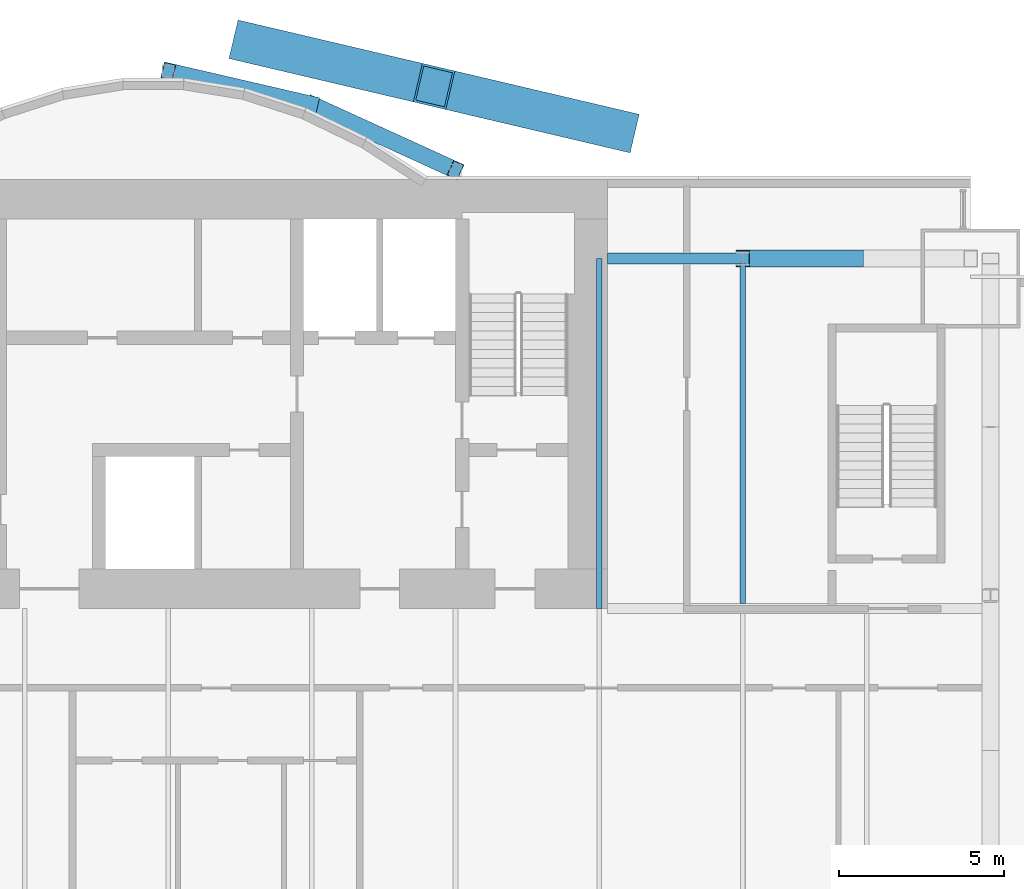
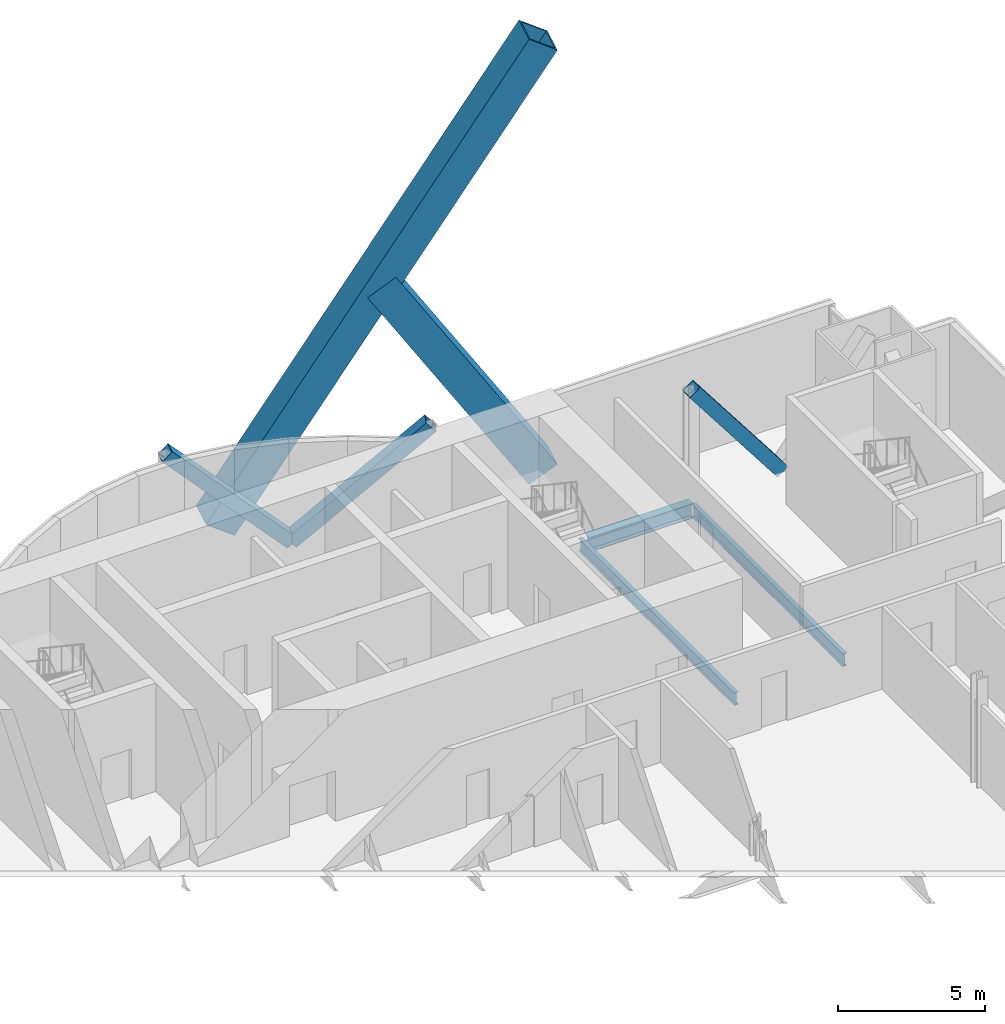
# One storey, part 13 of 23: 5 members, 3 beams.
"""IFC4 building model written with IfcOpenShell, lengths in metres."""

from ifc_helpers import new_model, si_unit, direction, frame, origin, origin_2d, place, context, subcontext, project, spatial, hollow_rectangle, i_section, extrude, material, material_profile, profile_set, type_object, element, save


model = new_model("IFC4")

# Units and contexts
model_context = context("Model", 3, precision=1e-05, world=origin(), true_north=direction((0.0, 1.0)))
body_context = subcontext(model_context, "Body", "Model", "MODEL_VIEW")
ifc_project = project(units=[si_unit("LENGTHUNIT", "METRE"), si_unit("AREAUNIT", "SQUARE_METRE"), si_unit("VOLUMEUNIT", "CUBIC_METRE"), si_unit("PLANEANGLEUNIT", "RADIAN"), si_unit("MASSUNIT", "GRAM", prefix="KILO")], contexts=[model_context])

# Site, building, storey
site_placement = place(None, origin())
site = spatial("IfcSite", under=ifc_project, at=site_placement, CompositionType="ELEMENT")
building_placement = place(site_placement, origin())
building = spatial("IfcBuilding", under=site, at=building_placement, Name="Bicima Exchange Tower", CompositionType="ELEMENT")
storey_placement = place(building_placement, frame((0.0, 0.0, 53.0)))
storey = spatial("IfcBuildingStorey", under=building, at=storey_placement, Name="L10", CompositionType="ELEMENT", Elevation=53.0)

# Members
ifc_material_1 = material(Name="Steel ASTM A572 Gr 50", Category="steel")
ifc_material_profile_1 = material_profile(ifc_material_1, hollow_rectangle(XDim=1.199951171875, YDim=1.199951171875, WallThickness=0.070068359375, at=origin_2d()))
ifc_profile_set_1 = profile_set([ifc_material_profile_1], Name="Steel ASTM A572 Gr 50")
member_type_1 = type_object("IfcMemberType", Name="Exo mega brace BOX 1200x1200x70", PredefinedType="BRACE", material=ifc_profile_set_1)
member_1_placement = place(storey_placement, frame((11.166748046875, 4.125, 0.300048828125), z_axis=(0.526277861717, -0.123716375206, 0.841264447586), x_axis=(0.228840031766, 0.973464041381, 0.0)))
element("IfcMember", 1, at=member_1_placement, inside=storey, type_object=member_type_1, Name="Exo mega brace rear", PredefinedType="BRACE", context=body_context, shape_type="SweptSolid", body=[
    extrude(hollow_rectangle(XDim=1.199951171875, YDim=1.199951171875, WallThickness=0.070068359375, at=origin_2d()), origin(), (0.0, 0.0, 1.0), 21.2177734375),
])
member_2_placement = place(storey_placement, frame((22.333251953125, 1.5, 0.300048828125), z_axis=(-0.526272767444, 0.123715177654, 0.841267810549), x_axis=(-0.228840031766, -0.973464041381, 0.0)))
element("IfcMember", 2, at=member_2_placement, inside=storey, type_object=member_type_1, Name="Exo mega brace rear", PredefinedType="BRACE", context=body_context, shape_type="SweptSolid", body=[
    extrude(hollow_rectangle(XDim=1.199951171875, YDim=1.199951171875, WallThickness=0.070068359375, at=origin_2d()), origin(), (0.0, 0.0, 1.0), 10.609130859375),
])

# Beams
ifc_material_2 = material(Name="Steel ASTM A992 Gr 50", Category="steel")
ifc_material_profile_2 = material_profile(ifc_material_2, i_section(OverallWidth=0.165771484375, OverallDepth=0.5283203125, WebThickness=0.009765625, FlangeThickness=0.013671875, at=origin_2d()))
ifc_profile_set_2 = profile_set([ifc_material_profile_2], Name="Steel ASTM A992 Gr 50")
beam_type_1 = type_object("IfcBeamType", Name="Floor beam W21x50", PredefinedType="JOIST", material=ifc_profile_set_2)
beam_1_placement = place(storey_placement, frame((21.75, -2.39990234375, -0.414306640625), z_axis=(0.0, -1.0, 0.0), x_axis=(1.0, 0.0, 0.0)))
element("IfcBeam", 3, at=beam_1_placement, inside=storey, type_object=beam_type_1, Name="Floor beam", PredefinedType="JOIST", context=body_context, shape_type="SweptSolid", body=[
    extrude(i_section(OverallWidth=0.165771484375, OverallDepth=0.5283203125, WebThickness=0.009765625, FlangeThickness=0.013671875, at=origin_2d()), origin(), (0.0, 0.0, 1.0), 10.60009765625),
])
beam_2_placement = place(storey_placement, frame((26.10009765625, -2.5625, -0.414306640625), z_axis=(0.0, -1.0, 0.0), x_axis=(1.0, 0.0, 0.0)))
element("IfcBeam", 4, at=beam_2_placement, inside=storey, type_object=beam_type_1, Name="Floor beam", PredefinedType="JOIST", context=body_context, shape_type="SweptSolid", body=[
    extrude(i_section(OverallWidth=0.165771484375, OverallDepth=0.5283203125, WebThickness=0.009765625, FlangeThickness=0.013671875, at=origin_2d()), origin(), (0.0, 0.0, 1.0), 10.28515625),
])

# Members
ifc_material_profile_3 = material_profile(ifc_material_1, hollow_rectangle(XDim=0.508056640625, YDim=0.508056640625, WallThickness=0.017822265625, at=origin_2d()))
ifc_profile_set_3 = profile_set([ifc_material_profile_3], Name="Steel ASTM A572 Gr 50")
member_type_2 = type_object("IfcMemberType", Name="Mega brace HSS20x20x3/4", PredefinedType="BRACE", material=ifc_profile_set_3)
member_3_placement = place(storey_placement, frame((13.050048828125, 2.262451171875, 0.0), z_axis=(0.662507516739, -0.302231638101, 0.685375683254), x_axis=(0.415045223819, 0.909800781592, 0.0)))
element("IfcMember", 5, at=member_3_placement, inside=storey, type_object=member_type_2, Name="Mega brace rexo", PredefinedType="BRACE", context=body_context, shape_type="SweptSolid", body=[
    extrude(hollow_rectangle(XDim=0.508056640625, YDim=0.508056640625, WallThickness=0.017822265625, at=origin_2d()), origin(), (0.0, 0.0, 1.0), 6.565673828125),
])
member_4_placement = place(storey_placement, frame((13.050048828125, 2.262451171875, 0.0), z_axis=(-0.686212303743, 0.158786245837, 0.709858860848), x_axis=(-0.225438503722, -0.974257399787, 0.0)))
element("IfcMember", 6, at=member_4_placement, inside=storey, type_object=member_type_2, Name="Mega brace rexo", PredefinedType="BRACE", context=body_context, shape_type="SweptSolid", body=[
    extrude(hollow_rectangle(XDim=0.508056640625, YDim=0.508056640625, WallThickness=0.017822265625, at=origin_2d()), origin(), (0.0, 0.0, 1.0), 6.33935546875),
])
member_5_placement = place(storey_placement, frame((29.550048828125, -2.39990234375, 0.0), z_axis=(-0.608426120198, 0.0, 0.793610519248), x_axis=(0.0, -1.0, 0.0)))
element("IfcMember", 7, at=member_5_placement, inside=storey, type_object=member_type_2, Name="Mega brace rear", PredefinedType="BRACE", context=body_context, shape_type="SweptSolid", body=[
    extrude(hollow_rectangle(XDim=0.508056640625, YDim=0.508056640625, WallThickness=0.017822265625, at=origin_2d()), origin(), (0.0, 0.0, 1.0), 5.670166015625),
])

# Beam
ifc_material_profile_4 = material_profile(ifc_material_2, i_section(OverallWidth=0.3251953125, OverallDepth=0.612060546875, WebThickness=0.0126953125, FlangeThickness=0.01904296875, at=origin_2d()))
ifc_profile_set_4 = profile_set([ifc_material_profile_4], Name="Steel ASTM A992 Gr 50")
beam_type_2 = type_object("IfcBeamType", Name="Rear girder W24x104", PredefinedType="BEAM", material=ifc_profile_set_4)
beam_3_placement = place(storey_placement, frame((22.0, -2.39990234375, -0.4560546875), z_axis=(1.0, 0.0, 0.0), x_axis=(0.0, 1.0, 0.0)))
element("IfcBeam", 8, at=beam_3_placement, inside=storey, type_object=beam_type_2, Name="Rear girder", PredefinedType="BEAM", context=body_context, shape_type="SweptSolid", body=[
    extrude(i_section(OverallWidth=0.3251953125, OverallDepth=0.612060546875, WebThickness=0.0126953125, FlangeThickness=0.01904296875, at=origin_2d()), origin(), (0.0, 0.0, 1.0), 4.10009765625),
])

save(model, "model.ifc")
